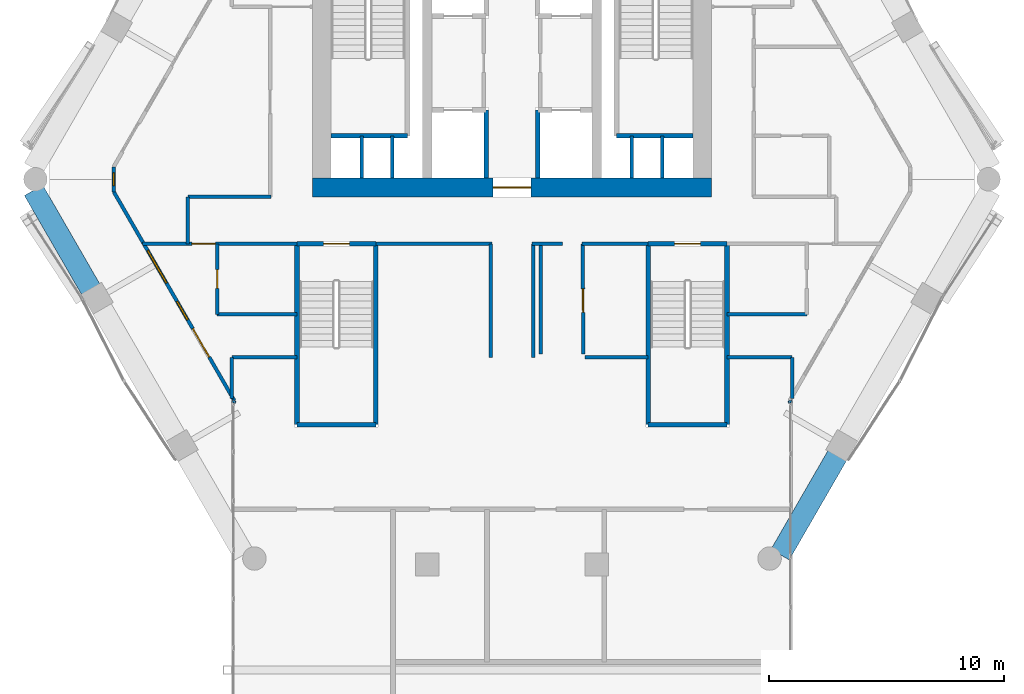
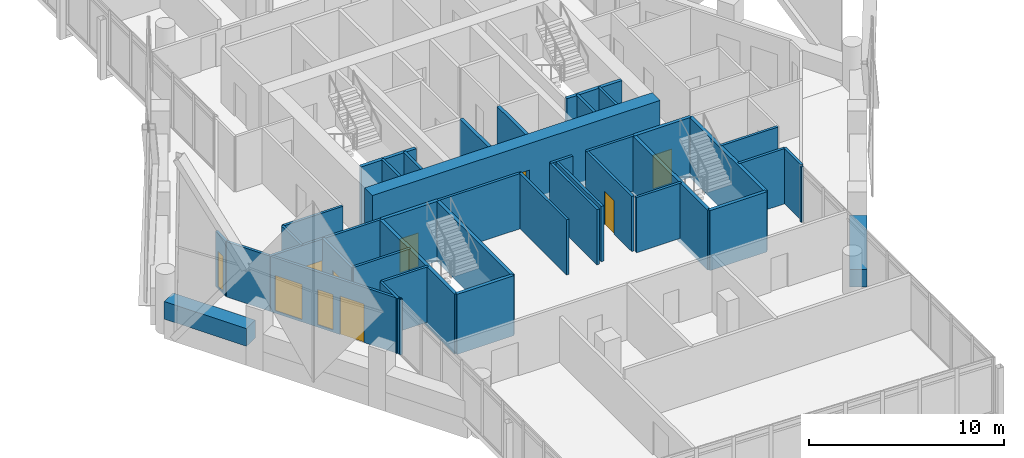
# One storey, part 29 of 37: 41 walls, 7 doors, 3 windows, 10 openings.
"""IFC4 building model written with IfcOpenShell, lengths in metres."""

from ifc_helpers import new_model, si_unit, direction, frame, frame_2d, origin, place, context, subcontext, project, spatial, rectangle, extrude, material, layer, layer_set, type_object, element, fill, save


model = new_model("IFC4")

# Units and contexts
model_context = context("Model", 3, precision=1e-05, world=origin(), true_north=direction((0.0, 1.0)))
body_context = subcontext(model_context, "Body", "Model", "MODEL_VIEW")
ifc_project = project(units=[si_unit("LENGTHUNIT", "METRE"), si_unit("AREAUNIT", "SQUARE_METRE"), si_unit("VOLUMEUNIT", "CUBIC_METRE"), si_unit("PLANEANGLEUNIT", "RADIAN"), si_unit("MASSUNIT", "GRAM", prefix="KILO")], contexts=[model_context])

# Site, building, storey
site_placement = place(None, origin())
site = spatial("IfcSite", under=ifc_project, at=site_placement, CompositionType="ELEMENT")
building_placement = place(site_placement, origin())
building = spatial("IfcBuilding", under=site, at=building_placement, Name="Ostrander Bayou Hotel Tower", CompositionType="ELEMENT")
storey_placement = place(building_placement, frame((0.0, 0.0, 198.25)))
storey = spatial("IfcBuildingStorey", under=building, at=storey_placement, Name="L49", CompositionType="ELEMENT", Elevation=198.25)

# Wall, opening, door
ifc_material_1 = material(Name="Concrete f'c 60 MPa", Category="concrete")
ifc_layer_1 = layer(ifc_material_1, 0.800048828125)
ifc_layer_set_1 = layer_set([ifc_layer_1], Name="CW7 core wall 800 mm f'c 60 MPa")
wall_type_1 = type_object("IfcWallType", Name="CW7 core wall 800 mm f'c 60 MPa", PredefinedType="SHEAR", material=ifc_layer_set_1)
wall_1_placement = place(storey_placement, frame((-8.5, -1.300048828125, -0.300048828125), z_axis=(0.0, 0.0, 1.0), x_axis=(1.0, 0.0, 0.0)))
wall_1 = element("IfcWall", 1, at=wall_1_placement, inside=storey, type_object=wall_type_1, Name="CW7 L49 S", PredefinedType="SHEAR", context=body_context, shape_type="SweptSolid", body=[
    extrude(rectangle(XDim=17.0, YDim=0.800048828125, at=frame_2d((8.5, 0.0))), origin(), (0.0, 0.0, 1.0), 3.75),
])
opening_1_placement = place(wall_1_placement, frame((7.699951171875, 0.0, 0.0)))
opening_1 = element("IfcOpeningElement", 2, at=opening_1_placement, cuts=wall_1, Name="Opening T48-005", PredefinedType="OPENING", context=body_context, shape_type="SweptSolid", body=[
    extrude(rectangle(XDim=1.60009765625, YDim=2.10009765625, at=frame_2d((0.800048828125, 1.050048828125))), frame((0.0, 0.39990234375, 0.0), z_axis=(0.0, -1.0, 0.0), x_axis=(1.0, 0.0, 0.0)), (0.0, 0.0, 1.0), 0.800048828125),
])
ifc_material_2 = material(Name="Timber door leaf", Category="wood")
door_type_1 = type_object("IfcDoorType", Name="D13 double door 1600 x 2100 mm, 1 hour", OperationType="SINGLE_SWING_LEFT", PredefinedType="DOOR", material=ifc_material_2)
door_1_placement = place(opening_1_placement, origin())
door_1 = element("IfcDoor", 3, at=door_1_placement, inside=storey, type_object=door_type_1, Name="dr:L49:005", OperationType="DOUBLE_DOOR_SINGLE_SWING", OverallHeight=2.10009765625, OverallWidth=1.60009765625, PredefinedType="DOOR", context=body_context, shape_type="SweptSolid", body=[
    extrude(rectangle(XDim=1.60009765625, YDim=2.10009765625, at=frame_2d((0.800048828125, 1.050048828125))), frame((0.0, 0.02490234375, 0.0), z_axis=(0.0, -1.0, 0.0), x_axis=(1.0, 0.0, 0.0)), (0.0, 0.0, 1.0), 0.050048828125),
])
fill(opening_1, door_1)

# Wall, openings, door, windows
ifc_material_3 = material(Name="Aluminium framed insulated wall", Category="aluminium")
ifc_layer_2 = layer(ifc_material_3, 0.14990234375)
ifc_layer_set_2 = layer_set([ifc_layer_2], Name="GW1 glass-line wall 150 mm")
wall_type_2 = type_object("IfcWallType", Name="GW1 glass-line wall 150 mm", PredefinedType="SOLIDWALL", material=ifc_layer_set_2)
wall_2_placement = place(storey_placement, frame((-16.955810546875, -1.481689453125, 0.0), z_axis=(0.0, 0.0, 1.0), x_axis=(0.499996992154, -0.866027140358, 0.0)))
wall_2 = element("IfcWall", 4, at=wall_2_placement, inside=storey, type_object=wall_type_2, Name="GW1 L49 SW 1", PredefinedType="SOLIDWALL", context=body_context, shape_type="SweptSolid", body=[
    extrude(rectangle(XDim=10.263671875, YDim=0.14990234375, at=frame_2d((5.1318359375, 0.0))), origin(), (0.0, 0.0, 1.0), 3.449951171875),
])
opening_2_placement = place(wall_2_placement, frame((2.885498046875, 0.0, 0.14990234375)))
opening_2 = element("IfcOpeningElement", 5, at=opening_2_placement, cuts=wall_2, Name="Opening W9", PredefinedType="OPENING", context=body_context, shape_type="SweptSolid", body=[
    extrude(rectangle(XDim=1.60009765625, YDim=2.199951171875, at=frame_2d((0.800048828125, 1.10009765625))), frame((0.0, 0.074951171875, 0.0), z_axis=(0.0, -1.0, 0.0), x_axis=(1.0, 0.0, 0.0)), (0.0, 0.0, 1.0), 0.14990234375),
])
opening_3_placement = place(wall_2_placement, frame((5.394775390625, 0.0, 0.14990234375)))
opening_3 = element("IfcOpeningElement", 6, at=opening_3_placement, cuts=wall_2, Name="Opening W17", PredefinedType="OPENING", context=body_context, shape_type="SweptSolid", body=[
    extrude(rectangle(XDim=0.89990234375, YDim=2.199951171875, at=frame_2d((0.449951171875, 1.10009765625))), frame((0.0, 0.074951171875, 0.0), z_axis=(0.0, -1.0, 0.0), x_axis=(1.0, 0.0, 0.0)), (0.0, 0.0, 1.0), 0.14990234375),
])
opening_4_placement = place(wall_2_placement, frame((6.72998046875, 0.0, 0.0)))
opening_4 = element("IfcOpeningElement", 7, at=opening_4_placement, cuts=wall_2, Name="Opening T48-802", PredefinedType="OPENING", context=body_context, shape_type="SweptSolid", body=[
    extrude(rectangle(XDim=1.39990234375, YDim=2.39990234375, at=frame_2d((0.699951171875, 1.199951171875))), frame((0.0, 0.074951171875, 0.0), z_axis=(0.0, -1.0, 0.0), x_axis=(1.0, 0.0, 0.0)), (0.0, 0.0, 1.0), 0.14990234375),
])
ifc_material_4 = material(Name="Aluminium and clear glass", Category="aluminium")
door_type_2 = type_object("IfcDoorType", Name="SD3 sliding glass door 1400 mm, zone 3", OperationType="SLIDING_TO_LEFT", PredefinedType="DOOR", material=ifc_material_4)
door_2_placement = place(opening_4_placement, origin())
door_2 = element("IfcDoor", 8, at=door_2_placement, inside=storey, type_object=door_type_2, Name="SD3 L49 SW 2", OperationType="SLIDING_TO_RIGHT", OverallHeight=2.39990234375, OverallWidth=1.39990234375, PredefinedType="DOOR", context=body_context, shape_type="SweptSolid", body=[
    extrude(rectangle(XDim=1.39990234375, YDim=2.39990234375, at=frame_2d((0.699951171875, 1.199951171875))), frame((0.0, 0.02490234375, 0.0), z_axis=(0.0, -1.0, 0.0), x_axis=(1.0, 0.0, 0.0)), (0.0, 0.0, 1.0), 0.050048828125),
])
fill(opening_4, door_2)
ifc_material_5 = material(Name="Aluminium and clear glass", Category="aluminium")
window_type_1 = type_object("IfcWindowType", Name="W17 window 900 mm, zone 3", PartitioningType="SINGLE_PANEL", PredefinedType="WINDOW", material=ifc_material_5)
window_1_placement = place(opening_3_placement, origin())
window_1 = element("IfcWindow", 9, at=window_1_placement, inside=storey, type_object=window_type_1, Name="W17 L49 SW 2", OverallHeight=2.199951171875, OverallWidth=0.89990234375, PartitioningType="SINGLE_PANEL", PredefinedType="WINDOW", context=body_context, shape_type="SweptSolid", body=[
    extrude(rectangle(XDim=0.89990234375, YDim=2.199951171875, at=frame_2d((0.449951171875, 1.10009765625))), frame((0.0, 0.030029296875, 0.0), z_axis=(0.0, -1.0, 0.0), x_axis=(1.0, 0.0, 0.0)), (0.0, 0.0, 1.0), 0.06005859375),
])
fill(opening_3, window_1)
ifc_material_6 = material(Name="Aluminium and clear glass", Category="aluminium")
window_type_2 = type_object("IfcWindowType", Name="W9 fixed window 1600 mm, bar storeys, zone 3", PartitioningType="SINGLE_PANEL", PredefinedType="WINDOW", material=ifc_material_6)
window_2_placement = place(opening_2_placement, origin())
window_2 = element("IfcWindow", 10, at=window_2_placement, inside=storey, type_object=window_type_2, Name="W9 L49 SW 1", OverallHeight=2.199951171875, OverallWidth=1.60009765625, PartitioningType="SINGLE_PANEL", PredefinedType="WINDOW", context=body_context, shape_type="SweptSolid", body=[
    extrude(rectangle(XDim=1.60009765625, YDim=2.199951171875, at=frame_2d((0.800048828125, 1.10009765625))), frame((0.0, 0.030029296875, 0.0), z_axis=(0.0, -1.0, 0.0), x_axis=(1.0, 0.0, 0.0)), (0.0, 0.0, 1.0), 0.06005859375),
])
fill(opening_2, window_2)

# Wall, opening, window
wall_3_placement = place(storey_placement, frame((-16.955810546875, -0.416748046875, 0.0), z_axis=(0.0, 0.0, 1.0), x_axis=(0.0, -1.0, 0.0)))
wall_3 = element("IfcWall", 11, at=wall_3_placement, inside=storey, type_object=wall_type_2, Name="GW1 L49 corner 2", PredefinedType="SOLIDWALL", context=body_context, shape_type="SweptSolid", body=[
    extrude(rectangle(XDim=1.06494140625, YDim=0.14990234375, at=frame_2d((0.532470703125, 0.0))), origin(), (0.0, 0.0, 1.0), 3.449951171875),
])
opening_5_placement = place(wall_3_placement, frame((0.257568359375, 0.0, 0.14990234375)))
opening_5 = element("IfcOpeningElement", 12, at=opening_5_placement, cuts=wall_3, Name="Opening W19", PredefinedType="OPENING", context=body_context, shape_type="SweptSolid", body=[
    extrude(rectangle(XDim=0.550048828125, YDim=2.199951171875, at=frame_2d((0.27490234375, 1.10009765625))), frame((0.0, 0.074951171875, 0.0), z_axis=(0.0, -1.0, 0.0), x_axis=(1.0, 0.0, 0.0)), (0.0, 0.0, 1.0), 0.14990234375),
])
ifc_material_7 = material(Name="Aluminium and clear glass", Category="aluminium")
window_type_3 = type_object("IfcWindowType", Name="W19 corner window 550 mm", PartitioningType="SINGLE_PANEL", PredefinedType="WINDOW", material=ifc_material_7)
window_3_placement = place(opening_5_placement, origin())
window_3 = element("IfcWindow", 13, at=window_3_placement, inside=storey, type_object=window_type_3, Name="W19 L49 corner 2", OverallHeight=2.199951171875, OverallWidth=0.550048828125, PartitioningType="SINGLE_PANEL", PredefinedType="WINDOW", context=body_context, shape_type="SweptSolid", body=[
    extrude(rectangle(XDim=0.550048828125, YDim=2.199951171875, at=frame_2d((0.27490234375, 1.10009765625))), frame((0.0, 0.030029296875, 0.0), z_axis=(0.0, -1.0, 0.0), x_axis=(1.0, 0.0, 0.0)), (0.0, 0.0, 1.0), 0.06005859375),
])
fill(opening_5, window_3)

# Walls
for number, where, z_axis, x_axis, name in (
    (14, (-11.823974609375, -10.370361328125, 0.0), (0.0, 0.0, 1.0), (-0.338543167143, -0.940950861619, 0.0), "GW1 L49 bar joint 2"),
    (15, (11.823974609375, -10.370361328125, 0.0), (0.0, 0.0, 1.0), (0.338543167143, -0.940950861619, 0.0), "GW1 L49 bar joint 3"),
):
    element("IfcWall", number, at=place(storey_placement, frame(where, z_axis=z_axis, x_axis=x_axis)), inside=storey, type_object=wall_type_2, Name=name, PredefinedType="SOLIDWALL", context=body_context, shape_type="SweptSolid", body=[
        extrude(rectangle(XDim=0.09814453125, YDim=0.14990234375, at=frame_2d((0.049072265625, 0.0))), origin(), (0.0, 0.0, 1.0), 3.449951171875),
    ])
ifc_material_8 = material(Name="Limestone masonry", Category="masonry")
ifc_layer_3 = layer(ifc_material_8, 0.89990234375)
ifc_layer_set_3 = layer_set([ifc_layer_3], Name="PA2 limestone parapet 900 mm")
wall_type_3 = type_object("IfcWallType", Name="PA2 limestone parapet 900 mm", PredefinedType="PARAPET", material=ifc_layer_set_3)
for number, where, z_axis, x_axis, name in (
    (16, (-20.36962890625, -1.4189453125, 0.0), (0.0, 0.0, 1.0), (0.500033586455, -0.866006011767, 0.0), "PA2 L49 SW-1"),
    (17, (11.41357421875, -16.93115234375, 0.0), (0.0, 0.0, 1.0), (0.499974254476, 0.866040267459, 0.0), "PA2 L49 SE-1"),
):
    element("IfcWall", number, at=place(storey_placement, frame(where, z_axis=z_axis, x_axis=x_axis)), inside=storey, type_object=wall_type_3, Name=name, PredefinedType="PARAPET", context=body_context, shape_type="SweptSolid", body=[
        extrude(rectangle(XDim=4.867919921875, YDim=0.89990234375, at=frame_2d((2.43408203125, 0.0))), origin(), (0.0, 0.0, 1.0), 1.10009765625),
    ])
ifc_material_9 = material(Name="Masonry block", Category="masonry")
ifc_layer_4 = layer(ifc_material_9, 0.199951171875)
ifc_layer_set_4 = layer_set([ifc_layer_4], Name="PT6 lift shaft wall 200 mm masonry, 2 hour")
wall_type_4 = type_object("IfcWallType", Name="PT6 lift shaft wall 200 mm masonry, 2 hour", PredefinedType="PARTITIONING", material=ifc_layer_set_4)
for number, where, z_axis, x_axis, name in (
    (18, (-1.10009765625, -0.89990234375, 0.0), (0.0, 0.0, 1.0), (0.0, 1.0, 0.0), "cs:L49:005"),
    (19, (1.10009765625, -0.89990234375, 0.0), (0.0, 0.0, 1.0), (0.0, 1.0, 0.0), "cs:L49:006"),
):
    element("IfcWall", number, at=place(storey_placement, frame(where, z_axis=z_axis, x_axis=x_axis)), inside=storey, type_object=wall_type_4, Name=name, PredefinedType="PARTITIONING", context=body_context, shape_type="SweptSolid", body=[
        extrude(rectangle(XDim=2.89990234375, YDim=0.199951171875, at=frame_2d((1.449951171875, 0.0))), origin(), (0.0, 0.0, 1.0), 3.449951171875),
    ])
ifc_material_10 = material(Name="Gypsum board partition", Category="finish")
ifc_layer_5 = layer(ifc_material_10, 0.14990234375)
ifc_layer_set_5 = layer_set([ifc_layer_5], Name="PT7 riser wall 150 mm, 2 hour")
wall_type_5 = type_object("IfcWallType", Name="PT7 riser wall 150 mm, 2 hour", PredefinedType="PARTITIONING", material=ifc_layer_set_5)
for number, where, z_axis, x_axis, name in (
    (20, (-6.39990234375, -0.89990234375, 0.0), (0.0, 0.0, 1.0), (0.0, 1.0, 0.0), "cs:L49:011"),
    (21, (-5.10009765625, -0.89990234375, 0.0), (0.0, 0.0, 1.0), (0.0, 1.0, 0.0), "cs:L49:012"),
    (22, (5.10009765625, -0.89990234375, 0.0), (0.0, 0.0, 1.0), (0.0, 1.0, 0.0), "cs:L49:015"),
    (23, (6.39990234375, -0.89990234375, 0.0), (0.0, 0.0, 1.0), (0.0, 1.0, 0.0), "cs:L49:016"),
):
    element("IfcWall", number, at=place(storey_placement, frame(where, z_axis=z_axis, x_axis=x_axis)), inside=storey, type_object=wall_type_5, Name=name, PredefinedType="PARTITIONING", context=body_context, shape_type="SweptSolid", body=[
        extrude(rectangle(XDim=1.7998046875, YDim=0.14990234375, at=frame_2d((0.89990234375, 0.0))), origin(), (0.0, 0.0, 1.0), 3.449951171875),
    ])
ifc_material_11 = material(Name="Gypsum board partition", Category="finish")
ifc_layer_6 = layer(ifc_material_11, 0.14990234375)
ifc_layer_set_6 = layer_set([ifc_layer_6], Name="PT8 service band wall 150 mm, 1 hour")
wall_type_6 = type_object("IfcWallType", Name="PT8 service band wall 150 mm, 1 hour", PredefinedType="PARTITIONING", material=ifc_layer_set_6)
wall_4_placement = place(storey_placement, frame((-11.929931640625, -8.534912109375, 0.0), z_axis=(0.0, 0.0, 1.0), x_axis=(1.0, 0.0, 0.0)))
element("IfcWall", 24, at=wall_4_placement, inside=storey, type_object=wall_type_6, Name="gw:L49:001", PredefinedType="PARTITIONING", context=body_context, shape_type="SweptSolid", body=[
    extrude(rectangle(XDim=2.77001953125, YDim=0.14990234375, at=frame_2d((1.385009765625, 0.0))), origin(), (0.0, 0.0, 1.0), 3.449951171875),
])
wall_5_placement = place(storey_placement, frame((3.114990234375, -8.534912109375, 0.0), z_axis=(0.0, 0.0, 1.0), x_axis=(1.0, 0.0, 0.0)))
element("IfcWall", 25, at=wall_5_placement, inside=storey, type_object=wall_type_6, Name="gw:L49:003", PredefinedType="PARTITIONING", context=body_context, shape_type="SweptSolid", body=[
    extrude(rectangle(XDim=2.675048828125, YDim=0.14990234375, at=frame_2d((1.33740234375, 0.0))), origin(), (0.0, 0.0, 1.0), 3.449951171875),
])
wall_6_placement = place(storey_placement, frame((9.159912109375, -8.534912109375, 0.0), z_axis=(0.0, 0.0, 1.0), x_axis=(1.0, 0.0, 0.0)))
element("IfcWall", 26, at=wall_6_placement, inside=storey, type_object=wall_type_6, Name="gw:L49:004", PredefinedType="PARTITIONING", context=body_context, shape_type="SweptSolid", body=[
    extrude(rectangle(XDim=2.77001953125, YDim=0.14990234375, at=frame_2d((1.385009765625, 0.0))), origin(), (0.0, 0.0, 1.0), 3.449951171875),
])
for number, where, z_axis, x_axis, name in (
    (27, (-12.550048828125, -6.699951171875, 0.0), (0.0, 0.0, 1.0), (1.0, 0.0, 0.0), "gw:L49:005"),
    (28, (9.159912109375, -6.699951171875, 0.0), (0.0, 0.0, 1.0), (1.0, 0.0, 0.0), "gw:L49:006"),
):
    element("IfcWall", number, at=place(storey_placement, frame(where, z_axis=z_axis, x_axis=x_axis)), inside=storey, type_object=wall_type_6, Name=name, PredefinedType="PARTITIONING", context=body_context, shape_type="SweptSolid", body=[
        extrude(rectangle(XDim=3.39013671875, YDim=0.14990234375, at=frame_2d((1.695068359375, 0.0))), origin(), (0.0, 0.0, 1.0), 3.449951171875),
    ])

# Wall, opening, door
wall_7_placement = place(storey_placement, frame((-15.72705078125, -3.699951171875, 0.0), z_axis=(0.0, 0.0, 1.0), x_axis=(1.0, 0.0, 0.0)))
wall_7 = element("IfcWall", 29, at=wall_7_placement, inside=storey, type_object=wall_type_6, Name="gw:L49:007", PredefinedType="PARTITIONING", context=body_context, shape_type="SweptSolid", body=[
    extrude(rectangle(XDim=6.567138671875, YDim=0.14990234375, at=frame_2d((3.28369140625, 0.0))), origin(), (0.0, 0.0, 1.0), 3.449951171875),
])
opening_6_placement = place(wall_7_placement, frame((2.10205078125, 0.0, 0.0)))
opening_6 = element("IfcOpeningElement", 30, at=opening_6_placement, cuts=wall_7, Name="Opening T48-400", PredefinedType="OPENING", context=body_context, shape_type="SweptSolid", body=[
    extrude(rectangle(XDim=1.0, YDim=2.10009765625, at=frame_2d((0.5, 1.050048828125))), frame((0.0, 0.074951171875, 0.0), z_axis=(0.0, -1.0, 0.0), x_axis=(1.0, 0.0, 0.0)), (0.0, 0.0, 1.0), 0.14990234375),
])
ifc_material_12 = material(Name="Timber door leaf", Category="wood")
door_type_3 = type_object("IfcDoorType", Name="D1 guest room door 1000 x 2100 mm, 30 minute", OperationType="SINGLE_SWING_LEFT", PredefinedType="DOOR", material=ifc_material_12)
door_3_placement = place(opening_6_placement, origin())
door_3 = element("IfcDoor", 31, at=door_3_placement, inside=storey, type_object=door_type_3, Name="dr:L49:400", OperationType="SINGLE_SWING_LEFT", OverallHeight=2.10009765625, OverallWidth=1.0, PredefinedType="DOOR", context=body_context, shape_type="SweptSolid", body=[
    extrude(rectangle(XDim=1.0, YDim=2.10009765625, at=frame_2d((0.5, 1.050048828125))), frame((0.0, 0.02490234375, 0.0), z_axis=(0.0, -1.0, 0.0), x_axis=(1.0, 0.0, 0.0)), (0.0, 0.0, 1.0), 0.050048828125),
])
fill(opening_6, door_3)

# Walls
wall_8_placement = place(storey_placement, frame((-5.7900390625, -3.699951171875, 0.0), z_axis=(0.0, 0.0, 1.0), x_axis=(1.0, 0.0, 0.0)))
element("IfcWall", 32, at=wall_8_placement, inside=storey, type_object=wall_type_6, Name="gw:L49:008", PredefinedType="PARTITIONING", context=body_context, shape_type="SweptSolid", body=[
    extrude(rectangle(XDim=4.929931640625, YDim=0.14990234375, at=frame_2d((2.46484375, 0.0))), origin(), (0.0, 0.0, 1.0), 3.449951171875),
])
wall_9_placement = place(storey_placement, frame((0.860107421875, -3.699951171875, 0.0), z_axis=(0.0, 0.0, 1.0), x_axis=(1.0, 0.0, 0.0)))
element("IfcWall", 33, at=wall_9_placement, inside=storey, type_object=wall_type_6, Name="gw:L49:009", PredefinedType="PARTITIONING", context=body_context, shape_type="SweptSolid", body=[
    extrude(rectangle(XDim=1.294921875, YDim=0.14990234375, at=frame_2d((0.6474609375, 0.0))), origin(), (0.0, 0.0, 1.0), 3.449951171875),
])
wall_10_placement = place(storey_placement, frame((2.97509765625, -3.699951171875, 0.0), z_axis=(0.0, 0.0, 1.0), x_axis=(1.0, 0.0, 0.0)))
element("IfcWall", 34, at=wall_10_placement, inside=storey, type_object=wall_type_6, Name="gw:L49:010", PredefinedType="PARTITIONING", context=body_context, shape_type="SweptSolid", body=[
    extrude(rectangle(XDim=2.81494140625, YDim=0.14990234375, at=frame_2d((1.407470703125, 0.0))), origin(), (0.0, 0.0, 1.0), 3.449951171875),
])
wall_11_placement = place(storey_placement, frame((-13.800048828125, -1.699951171875, 0.0), z_axis=(0.0, 0.0, 1.0), x_axis=(1.0, 0.0, 0.0)))
element("IfcWall", 35, at=wall_11_placement, inside=storey, type_object=wall_type_6, Name="gw:L49:012", PredefinedType="PARTITIONING", context=body_context, shape_type="SweptSolid", body=[
    extrude(rectangle(XDim=3.5400390625, YDim=0.14990234375, at=frame_2d((1.77001953125, 0.0))), origin(), (0.0, 0.0, 1.0), 3.449951171875),
])
wall_12_placement = place(storey_placement, frame((11.929931640625, -10.277099609375, 0.0), z_axis=(0.0, 0.0, 1.0), x_axis=(0.0, 1.0, 0.0)))
element("IfcWall", 36, at=wall_12_placement, inside=storey, type_object=wall_type_6, Name="gw:L49:021", PredefinedType="PARTITIONING", context=body_context, shape_type="SweptSolid", body=[
    extrude(rectangle(XDim=1.7421875, YDim=0.14990234375, at=frame_2d((0.87109375, 0.0))), origin(), (0.0, 0.0, 1.0), 3.449951171875),
])
for number, where, z_axis, x_axis, name in (
    (37, (0.89990234375, -8.534912109375, 0.0), (0.0, 0.0, 1.0), (0.0, 1.0, 0.0), "gw:L49:024"),
    (38, (-0.89990234375, -8.534912109375, 0.0), (0.0, 0.0, 1.0), (0.0, 1.0, 0.0), "gw:L49:025"),
):
    element("IfcWall", number, at=place(storey_placement, frame(where, z_axis=z_axis, x_axis=x_axis)), inside=storey, type_object=wall_type_6, Name=name, PredefinedType="PARTITIONING", context=body_context, shape_type="SweptSolid", body=[
        extrude(rectangle(XDim=4.8349609375, YDim=0.14990234375, at=frame_2d((2.41748046875, 0.0))), origin(), (0.0, 0.0, 1.0), 3.449951171875),
    ])
wall_13_placement = place(storey_placement, frame((-11.929931640625, -10.277099609375, 0.0), z_axis=(0.0, 0.0, 1.0), x_axis=(0.0, 1.0, 0.0)))
element("IfcWall", 39, at=wall_13_placement, inside=storey, type_object=wall_type_6, Name="gw:L49:027", PredefinedType="PARTITIONING", context=body_context, shape_type="SweptSolid", body=[
    extrude(rectangle(XDim=1.7421875, YDim=0.14990234375, at=frame_2d((0.87109375, 0.0))), origin(), (0.0, 0.0, 1.0), 3.449951171875),
])

# Wall, opening, door
wall_14_placement = place(storey_placement, frame((-12.550048828125, -6.699951171875, 0.0), z_axis=(0.0, 0.0, 1.0), x_axis=(0.0, 1.0, 0.0)))
wall_14 = element("IfcWall", 40, at=wall_14_placement, inside=storey, type_object=wall_type_6, Name="gw:L49:029", PredefinedType="PARTITIONING", context=body_context, shape_type="SweptSolid", body=[
    extrude(rectangle(XDim=3.0, YDim=0.14990234375, at=frame_2d((1.5, 0.0))), origin(), (0.0, 0.0, 1.0), 3.449951171875),
])
opening_7_placement = place(wall_14_placement, frame((1.10009765625, 0.0, 0.0)))
opening_7 = element("IfcOpeningElement", 41, at=opening_7_placement, cuts=wall_14, Name="Opening T48-401", PredefinedType="OPENING", context=body_context, shape_type="SweptSolid", body=[
    extrude(rectangle(XDim=0.800048828125, YDim=2.10009765625, at=frame_2d((0.39990234375, 1.050048828125))), frame((0.0, 0.074951171875, 0.0), z_axis=(0.0, -1.0, 0.0), x_axis=(1.0, 0.0, 0.0)), (0.0, 0.0, 1.0), 0.14990234375),
])
ifc_material_13 = material(Name="Timber door leaf", Category="wood")
door_type_4 = type_object("IfcDoorType", Name="D2 bathroom door 800 x 2100 mm", OperationType="SINGLE_SWING_LEFT", PredefinedType="DOOR", material=ifc_material_13)
door_4_placement = place(opening_7_placement, origin())
door_4 = element("IfcDoor", 42, at=door_4_placement, inside=storey, type_object=door_type_4, Name="dr:L49:401", OperationType="SINGLE_SWING_RIGHT", OverallHeight=2.10009765625, OverallWidth=0.800048828125, PredefinedType="DOOR", context=body_context, shape_type="SweptSolid", body=[
    extrude(rectangle(XDim=0.800048828125, YDim=2.10009765625, at=frame_2d((0.39990234375, 1.050048828125))), frame((0.0, 0.02490234375, 0.0), z_axis=(0.0, -1.0, 0.0), x_axis=(1.0, 0.0, 0.0)), (0.0, 0.0, 1.0), 0.050048828125),
])
fill(opening_7, door_4)

# Wall
wall_15_placement = place(storey_placement, frame((-13.800048828125, -3.699951171875, 0.0), z_axis=(0.0, 0.0, 1.0), x_axis=(0.0, 1.0, 0.0)))
element("IfcWall", 43, at=wall_15_placement, inside=storey, type_object=wall_type_6, Name="gw:L49:030", PredefinedType="PARTITIONING", context=body_context, shape_type="SweptSolid", body=[
    extrude(rectangle(XDim=2.0, YDim=0.14990234375, at=frame_2d((1.0, 0.0))), origin(), (0.0, 0.0, 1.0), 3.449951171875),
])

# Wall, opening, door
wall_16_placement = place(storey_placement, frame((3.033935546875, -8.39501953125, 0.0), z_axis=(0.0, 0.0, 1.0), x_axis=(-0.004055917967, 0.999991774731, 0.0)))
wall_16 = element("IfcWall", 44, at=wall_16_placement, inside=storey, type_object=wall_type_6, Name="gw:L49:031", PredefinedType="PARTITIONING", context=body_context, shape_type="SweptSolid", body=[
    extrude(rectangle(XDim=4.695068359375, YDim=0.14990234375, at=frame_2d((2.34765625, 0.0))), origin(), (0.0, 0.0, 1.0), 3.449951171875),
])
opening_8_placement = place(wall_16_placement, frame((1.778076171875, 0.0, 0.0)))
opening_8 = element("IfcOpeningElement", 45, at=opening_8_placement, cuts=wall_16, Name="Opening T48-402", PredefinedType="OPENING", context=body_context, shape_type="SweptSolid", body=[
    extrude(rectangle(XDim=1.0, YDim=2.10009765625, at=frame_2d((0.5, 1.050048828125))), frame((0.0, 0.074951171875, 0.0), z_axis=(0.0, -1.0, 0.0), x_axis=(1.0, 0.0, 0.0)), (0.0, 0.0, 1.0), 0.14990234375),
])
ifc_material_14 = material(Name="Timber door leaf", Category="wood")
door_type_5 = type_object("IfcDoorType", Name="D9 service door 1000 x 2100 mm, 30 minute", OperationType="SINGLE_SWING_LEFT", PredefinedType="DOOR", material=ifc_material_14)
door_5_placement = place(opening_8_placement, origin())
door_5 = element("IfcDoor", 46, at=door_5_placement, inside=storey, type_object=door_type_5, Name="dr:L49:402", OperationType="SINGLE_SWING_RIGHT", OverallHeight=2.10009765625, OverallWidth=1.0, PredefinedType="DOOR", context=body_context, shape_type="SweptSolid", body=[
    extrude(rectangle(XDim=1.0, YDim=2.10009765625, at=frame_2d((0.5, 1.050048828125))), frame((0.0, 0.02490234375, 0.0), z_axis=(0.0, -1.0, 0.0), x_axis=(1.0, 0.0, 0.0)), (0.0, 0.0, 1.0), 0.050048828125),
])
fill(opening_8, door_5)

# Walls
wall_17_placement = place(storey_placement, frame((1.23388671875, -8.39501953125, 0.0), z_axis=(0.0, 0.0, 1.0), x_axis=(-0.004008296795, 0.999991966746, 0.0)))
element("IfcWall", 47, at=wall_17_placement, inside=storey, type_object=wall_type_6, Name="gw:L49:032", PredefinedType="PARTITIONING", context=body_context, shape_type="SweptSolid", body=[
    extrude(rectangle(XDim=4.68994140625, YDim=0.14990234375, at=frame_2d((2.344970703125, 0.0))), origin(), (0.0, 0.0, 1.0), 3.449951171875),
])
ifc_material_15 = material(Name="Concrete f'c 45 MPa", Category="concrete")
ifc_layer_7 = layer(ifc_material_15, 0.199951171875)
ifc_layer_set_7 = layer_set([ifc_layer_7], Name="SW5 stair enclosure wall 200 mm f'c 45 MPa")
wall_type_7 = type_object("IfcWallType", Name="SW5 stair enclosure wall 200 mm f'c 45 MPa", PredefinedType="SOLIDWALL", material=ifc_layer_set_7)
for number, where, z_axis, x_axis, name in (
    (48, (-7.699951171875, 0.89990234375, -0.300048828125), (0.0, 0.0, 1.0), (1.0, 0.0, 0.0), "cs:L49:010"),
    (49, (4.449951171875, 0.89990234375, -0.300048828125), (0.0, 0.0, 1.0), (1.0, 0.0, 0.0), "cs:L49:014"),
):
    element("IfcWall", number, at=place(storey_placement, frame(where, z_axis=z_axis, x_axis=x_axis)), inside=storey, type_object=wall_type_7, Name=name, PredefinedType="SOLIDWALL", context=body_context, shape_type="SweptSolid", body=[
        extrude(rectangle(XDim=3.25, YDim=0.199951171875, at=frame_2d((1.625, 0.0))), origin(), (0.0, 0.0, 1.0), 3.75),
    ])

# Wall, opening, door
wall_18_placement = place(storey_placement, frame((5.800048828125, -3.699951171875, -0.300048828125), z_axis=(0.0, 0.0, 1.0), x_axis=(1.0, 0.0, 0.0)))
wall_18 = element("IfcWall", 50, at=wall_18_placement, inside=storey, type_object=wall_type_7, Name="cs:L49:017", PredefinedType="SOLIDWALL", context=body_context, shape_type="SweptSolid", body=[
    extrude(rectangle(XDim=3.349853515625, YDim=0.199951171875, at=frame_2d((1.6748046875, 0.0))), origin(), (0.0, 0.0, 1.0), 3.75),
])
opening_9_placement = place(wall_18_placement, frame((1.125, 0.0, 0.0)))
opening_9 = element("IfcOpeningElement", 51, at=opening_9_placement, cuts=wall_18, Name="Opening T48-011", PredefinedType="OPENING", context=body_context, shape_type="SweptSolid", body=[
    extrude(rectangle(XDim=1.10009765625, YDim=2.10009765625, at=frame_2d((0.550048828125, 1.050048828125))), frame((0.0, 0.10009765625, 0.0), z_axis=(0.0, -1.0, 0.0), x_axis=(1.0, 0.0, 0.0)), (0.0, 0.0, 1.0), 0.199951171875),
])
ifc_material_16 = material(Name="Timber door leaf", Category="wood")
door_type_6 = type_object("IfcDoorType", Name="D5 stair door 1100 x 2100 mm, 90 minute", OperationType="SINGLE_SWING_LEFT", PredefinedType="DOOR", material=ifc_material_16)
door_6_placement = place(opening_9_placement, origin())
door_6 = element("IfcDoor", 52, at=door_6_placement, inside=storey, type_object=door_type_6, Name="dr:L49:011", OperationType="SINGLE_SWING_LEFT", OverallHeight=2.10009765625, OverallWidth=1.10009765625, PredefinedType="DOOR", context=body_context, shape_type="SweptSolid", body=[
    extrude(rectangle(XDim=1.10009765625, YDim=2.10009765625, at=frame_2d((0.550048828125, 1.050048828125))), frame((0.0, 0.02490234375, 0.0), z_axis=(0.0, -1.0, 0.0), x_axis=(1.0, 0.0, 0.0)), (0.0, 0.0, 1.0), 0.050048828125),
])
fill(opening_9, door_6)

# Walls
for number, where, z_axis, x_axis, name in (
    (53, (5.800048828125, -3.699951171875, -0.300048828125), (0.0, 0.0, 1.0), (0.0, -1.0, 0.0), "cs:L49:018"),
    (54, (9.14990234375, -3.699951171875, -0.300048828125), (0.0, 0.0, 1.0), (0.0, -1.0, 0.0), "cs:L49:019"),
):
    element("IfcWall", number, at=place(storey_placement, frame(where, z_axis=z_axis, x_axis=x_axis)), inside=storey, type_object=wall_type_7, Name=name, PredefinedType="SOLIDWALL", context=body_context, shape_type="SweptSolid", body=[
        extrude(rectangle(XDim=7.699951171875, YDim=0.199951171875, at=frame_2d((3.85009765625, 0.0))), origin(), (0.0, 0.0, 1.0), 3.75),
    ])
wall_19_placement = place(storey_placement, frame((5.800048828125, -11.39990234375, -0.300048828125), z_axis=(0.0, 0.0, 1.0), x_axis=(1.0, 0.0, 0.0)))
element("IfcWall", 55, at=wall_19_placement, inside=storey, type_object=wall_type_7, Name="cs:L49:020", PredefinedType="SOLIDWALL", context=body_context, shape_type="SweptSolid", body=[
    extrude(rectangle(XDim=3.349853515625, YDim=0.199951171875, at=frame_2d((1.6748046875, 0.0))), origin(), (0.0, 0.0, 1.0), 3.75),
])

# Wall, opening, door
wall_20_placement = place(storey_placement, frame((-9.14990234375, -3.699951171875, -0.300048828125), z_axis=(0.0, 0.0, 1.0), x_axis=(1.0, 0.0, 0.0)))
wall_20 = element("IfcWall", 56, at=wall_20_placement, inside=storey, type_object=wall_type_7, Name="cs:L49:021", PredefinedType="SOLIDWALL", context=body_context, shape_type="SweptSolid", body=[
    extrude(rectangle(XDim=3.349853515625, YDim=0.199951171875, at=frame_2d((1.6748046875, 0.0))), origin(), (0.0, 0.0, 1.0), 3.75),
])
opening_10_placement = place(wall_20_placement, frame((1.125, 0.0, 0.0)))
opening_10 = element("IfcOpeningElement", 57, at=opening_10_placement, cuts=wall_20, Name="Opening T48-012", PredefinedType="OPENING", context=body_context, shape_type="SweptSolid", body=[
    extrude(rectangle(XDim=1.10009765625, YDim=2.10009765625, at=frame_2d((0.550048828125, 1.050048828125))), frame((0.0, 0.10009765625, 0.0), z_axis=(0.0, -1.0, 0.0), x_axis=(1.0, 0.0, 0.0)), (0.0, 0.0, 1.0), 0.199951171875),
])
door_7_placement = place(opening_10_placement, origin())
door_7 = element("IfcDoor", 58, at=door_7_placement, inside=storey, type_object=door_type_6, Name="dr:L49:012", OperationType="SINGLE_SWING_LEFT", OverallHeight=2.10009765625, OverallWidth=1.10009765625, PredefinedType="DOOR", context=body_context, shape_type="SweptSolid", body=[
    extrude(rectangle(XDim=1.10009765625, YDim=2.10009765625, at=frame_2d((0.550048828125, 1.050048828125))), frame((0.0, 0.02490234375, 0.0), z_axis=(0.0, -1.0, 0.0), x_axis=(1.0, 0.0, 0.0)), (0.0, 0.0, 1.0), 0.050048828125),
])
fill(opening_10, door_7)

# Walls
for number, where, z_axis, x_axis, name in (
    (59, (-9.14990234375, -3.699951171875, -0.300048828125), (0.0, 0.0, 1.0), (0.0, -1.0, 0.0), "cs:L49:022"),
    (60, (-5.800048828125, -3.699951171875, -0.300048828125), (0.0, 0.0, 1.0), (0.0, -1.0, 0.0), "cs:L49:023"),
):
    element("IfcWall", number, at=place(storey_placement, frame(where, z_axis=z_axis, x_axis=x_axis)), inside=storey, type_object=wall_type_7, Name=name, PredefinedType="SOLIDWALL", context=body_context, shape_type="SweptSolid", body=[
        extrude(rectangle(XDim=7.699951171875, YDim=0.199951171875, at=frame_2d((3.85009765625, 0.0))), origin(), (0.0, 0.0, 1.0), 3.75),
    ])
wall_21_placement = place(storey_placement, frame((-9.14990234375, -11.39990234375, -0.300048828125), z_axis=(0.0, 0.0, 1.0), x_axis=(1.0, 0.0, 0.0)))
element("IfcWall", 61, at=wall_21_placement, inside=storey, type_object=wall_type_7, Name="cs:L49:024", PredefinedType="SOLIDWALL", context=body_context, shape_type="SweptSolid", body=[
    extrude(rectangle(XDim=3.349853515625, YDim=0.199951171875, at=frame_2d((1.6748046875, 0.0))), origin(), (0.0, 0.0, 1.0), 3.75),
])

save(model, "model.ifc")
